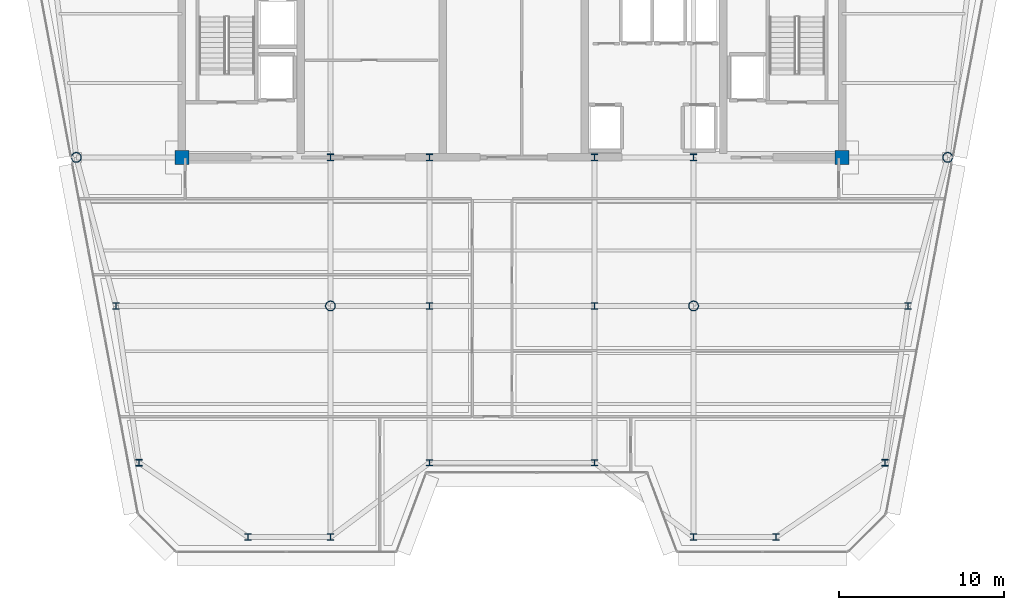
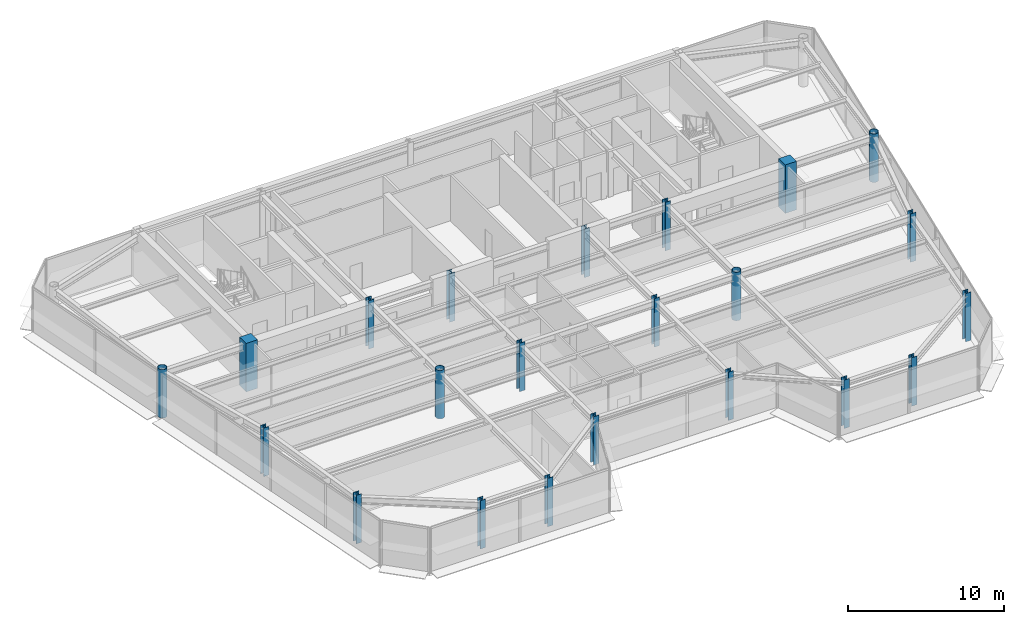
# One storey, part 1 of 19: 22 columns.
"""IFC4 building model written with IfcOpenShell, lengths in metres."""

from ifc_helpers import new_model, si_unit, direction, frame, origin, origin_2d, place, context, subcontext, project, spatial, rectangle, hollow_circle, i_section, extrude, source, transform, mapped, material, material_profile, profile_set, type_object, element, save


model = new_model("IFC4")

# Units and contexts
model_context = context("Model", 3, precision=1e-05, world=origin(), true_north=direction((0.0, 1.0)))
body_context = subcontext(model_context, "Body", "Model", "MODEL_VIEW")
ifc_project = project(units=[si_unit("LENGTHUNIT", "METRE"), si_unit("AREAUNIT", "SQUARE_METRE"), si_unit("VOLUMEUNIT", "CUBIC_METRE"), si_unit("PLANEANGLEUNIT", "RADIAN"), si_unit("MASSUNIT", "GRAM", prefix="KILO")], contexts=[model_context])

# Site, building, storey
site_placement = place(None, origin())
site = spatial("IfcSite", under=ifc_project, at=site_placement, CompositionType="ELEMENT")
building_placement = place(site_placement, origin())
building = spatial("IfcBuilding", under=site, at=building_placement, Name="Vaeldorn Concourse Tower", CompositionType="ELEMENT")
storey_placement = place(building_placement, frame((0.0, 0.0, 276.39990234375)))
storey = spatial("IfcBuildingStorey", under=building, at=storey_placement, Name="L71", CompositionType="ELEMENT", Elevation=276.39990234375)

# Columns
ifc_material_1 = material(Name="Concrete C50/60", Category="concrete")
ifc_material_profile_1 = material_profile(ifc_material_1, rectangle(XDim=0.85009765625, YDim=0.85009765625, at=origin_2d()), Name="RC 850x850")
ifc_profile_set_1 = profile_set([ifc_material_profile_1], Name="Concrete C50/60")
column_type_1 = type_object("IfcColumnType", Name="COL-RC850", PredefinedType="COLUMN", material=ifc_profile_set_1)
shared_shape_1 = source(origin(), body_context, "Body", "SweptSolid", [
    extrude(rectangle(XDim=0.85009765625, YDim=0.85009765625, at=origin_2d()), origin(), (0.0, 0.0, 1.0), 3.800048828125),
])
for number, where, z_axis, x_axis, name in (
    (1, (14.0, 36.5, 0.0), (0.0, 0.0, 1.0), (1.0, 0.0, 0.0), "Column C-FC1 L71"),
    (2, (54.0, 36.5, 0.0), (0.0, 0.0, 1.0), (1.0, 0.0, 0.0), "Column C-FC6 L71"),
):
    element("IfcColumn", number, at=place(storey_placement, frame(where, z_axis=z_axis, x_axis=x_axis)), inside=storey, type_object=column_type_1, Name=name, PredefinedType="COLUMN", context=body_context, shape_type="MappedRepresentation", body=[
        mapped(shared_shape_1, transform((0.0, 0.0, 0.0), scale=1.0)),
    ])
ifc_material_2 = material(Name="Steel S355", Category="steel")
ifc_material_profile_2 = material_profile(ifc_material_2, i_section(OverallWidth=0.406005859375, OverallDepth=0.416015625, WebThickness=0.02978515625, FlangeThickness=0.0419921875, FilletRadius=0.014892578125, at=origin_2d()), Name="HD 400x382")
ifc_profile_set_2 = profile_set([ifc_material_profile_2], Name="Steel S355")
column_type_2 = type_object("IfcColumnType", Name="COL-HD382", PredefinedType="COLUMN", material=ifc_profile_set_2)
shared_shape_2 = source(origin(), body_context, "Body", "SweptSolid", [
    extrude(i_section(OverallWidth=0.406005859375, OverallDepth=0.416015625, WebThickness=0.02978515625, FlangeThickness=0.0419921875, FilletRadius=0.014892578125, at=origin_2d()), origin(), (0.0, 0.0, 1.0), 3.800048828125),
])
for number, where, z_axis, x_axis, name in (
    (3, (23.0, 36.5, 0.0), (0.0, 0.0, 1.0), (1.0, 0.0, 0.0), "Column C-FC2 L71"),
    (4, (29.0, 36.5, 0.0), (0.0, 0.0, 1.0), (1.0, 0.0, 0.0), "Column C-FC3 L71"),
    (5, (39.0, 36.5, 0.0), (0.0, 0.0, 1.0), (1.0, 0.0, 0.0), "Column C-FC4 L71"),
    (6, (45.0, 36.5, 0.0), (0.0, 0.0, 1.0), (1.0, 0.0, 0.0), "Column C-FC5 L71"),
):
    element("IfcColumn", number, at=place(storey_placement, frame(where, z_axis=z_axis, x_axis=x_axis)), inside=storey, type_object=column_type_2, Name=name, PredefinedType="COLUMN", context=body_context, shape_type="MappedRepresentation", body=[
        mapped(shared_shape_2, transform((0.0, 0.0, 0.0), scale=1.0)),
    ])
ifc_material_profile_3 = material_profile(ifc_material_2, hollow_circle(Radius=0.304931640625, WallThickness=0.030029296875, at=origin_2d()), Name="CHS 610x30")
ifc_profile_set_3 = profile_set([ifc_material_profile_3], Name="Steel S355")
column_type_3 = type_object("IfcColumnType", Name="COL-CHS610", PredefinedType="COLUMN", material=ifc_profile_set_3)
shared_shape_3 = source(origin(), body_context, "Body", "SweptSolid", [
    extrude(hollow_circle(Radius=0.304931640625, WallThickness=0.030029296875, at=origin_2d()), origin(), (0.0, 0.0, 1.0), 3.800048828125),
])
for number, where, z_axis, x_axis, name in (
    (7, (7.60009765625, 36.5, 0.0), (0.0, 0.0, 1.0), (1.0, 0.0, 0.0), "Column C-NW2 L71"),
    (8, (60.39990234375, 36.5, 0.0), (0.0, 0.0, 1.0), (1.0, 0.0, 0.0), "Column C-NE2 L71"),
    (9, (23.0, 27.5, 0.0), (0.0, 0.0, 1.0), (1.0, 0.0, 0.0), "Column C-TW1 L71"),
    (10, (45.0, 27.5, 0.0), (0.0, 0.0, 1.0), (1.0, 0.0, 0.0), "Column C-TW4 L71"),
):
    element("IfcColumn", number, at=place(storey_placement, frame(where, z_axis=z_axis, x_axis=x_axis)), inside=storey, type_object=column_type_3, Name=name, PredefinedType="COLUMN", context=body_context, shape_type="MappedRepresentation", body=[
        mapped(shared_shape_3, transform((0.0, 0.0, 0.0), scale=1.0)),
    ])
ifc_material_profile_4 = material_profile(ifc_material_2, i_section(OverallWidth=0.40087890625, OverallDepth=0.39892578125, WebThickness=0.02490234375, FlangeThickness=0.034912109375, FilletRadius=0.014892578125, at=origin_2d()), Name="HD 400x314")
ifc_profile_set_4 = profile_set([ifc_material_profile_4], Name="Steel S355")
column_type_4 = type_object("IfcColumnType", Name="COL-HD314F", PredefinedType="COLUMN", material=ifc_profile_set_4)
shared_shape_4 = source(origin(), body_context, "Body", "SweptSolid", [
    extrude(i_section(OverallWidth=0.40087890625, OverallDepth=0.39892578125, WebThickness=0.02490234375, FlangeThickness=0.034912109375, FilletRadius=0.014892578125, at=origin_2d()), origin(), (0.0, 0.0, 1.0), 3.800048828125),
])
for number, where, z_axis, x_axis, name in (
    (11, (10.0, 27.5, 0.0), (0.0, 0.0, 1.0), (1.0, 0.0, 0.0), "Column C-FLW1 L71"),
    (12, (11.39990234375, 18.0, 0.0), (0.0, 0.0, 1.0), (1.0, 0.0, 0.0), "Column C-FLW2 L71"),
    (13, (58.0, 27.5, 0.0), (0.0, 0.0, 1.0), (1.0, 0.0, 0.0), "Column C-FLE1 L71"),
    (14, (56.60009765625, 18.0, 0.0), (0.0, 0.0, 1.0), (1.0, 0.0, 0.0), "Column C-FLE2 L71"),
):
    element("IfcColumn", number, at=place(storey_placement, frame(where, z_axis=z_axis, x_axis=x_axis)), inside=storey, type_object=column_type_4, Name=name, PredefinedType="COLUMN", context=body_context, shape_type="MappedRepresentation", body=[
        mapped(shared_shape_4, transform((0.0, 0.0, 0.0), scale=1.0)),
    ])
ifc_material_profile_5 = material_profile(ifc_material_2, i_section(OverallWidth=0.39794921875, OverallDepth=0.386962890625, WebThickness=0.0205078125, FlangeThickness=0.029052734375, FilletRadius=0.014892578125, at=origin_2d()), Name="HD 400x262")
ifc_profile_set_5 = profile_set([ifc_material_profile_5], Name="Steel S355")
column_type_5 = type_object("IfcColumnType", Name="COL-HD262T", PredefinedType="COLUMN", material=ifc_profile_set_5)
shared_shape_5 = source(origin(), body_context, "Body", "SweptSolid", [
    extrude(i_section(OverallWidth=0.39794921875, OverallDepth=0.386962890625, WebThickness=0.0205078125, FlangeThickness=0.029052734375, FilletRadius=0.014892578125, at=origin_2d()), origin(), (0.0, 0.0, 1.0), 3.800048828125),
])
for number, where, z_axis, x_axis, name in (
    (15, (29.0, 27.5, 0.0), (0.0, 0.0, 1.0), (1.0, 0.0, 0.0), "Column C-TW2 L71"),
    (16, (39.0, 27.5, 0.0), (0.0, 0.0, 1.0), (1.0, 0.0, 0.0), "Column C-TW3 L71"),
    (17, (18.0, 13.5, 0.0), (0.0, 0.0, 1.0), (1.0, 0.0, 0.0), "Column C-SF1 L71"),
    (18, (23.0, 13.5, 0.0), (0.0, 0.0, 1.0), (1.0, 0.0, 0.0), "Column C-SF2 L71"),
    (19, (29.0, 18.0, 0.0), (0.0, 0.0, 1.0), (1.0, 0.0, 0.0), "Column C-SF3 L71"),
    (20, (39.0, 18.0, 0.0), (0.0, 0.0, 1.0), (1.0, 0.0, 0.0), "Column C-SF4 L71"),
    (21, (45.0, 13.5, 0.0), (0.0, 0.0, 1.0), (1.0, 0.0, 0.0), "Column C-SF5 L71"),
    (22, (50.0, 13.5, 0.0), (0.0, 0.0, 1.0), (1.0, 0.0, 0.0), "Column C-SF6 L71"),
):
    element("IfcColumn", number, at=place(storey_placement, frame(where, z_axis=z_axis, x_axis=x_axis)), inside=storey, type_object=column_type_5, Name=name, PredefinedType="COLUMN", context=body_context, shape_type="MappedRepresentation", body=[
        mapped(shared_shape_5, transform((0.0, 0.0, 0.0), scale=1.0)),
    ])

save(model, "model.ifc")
